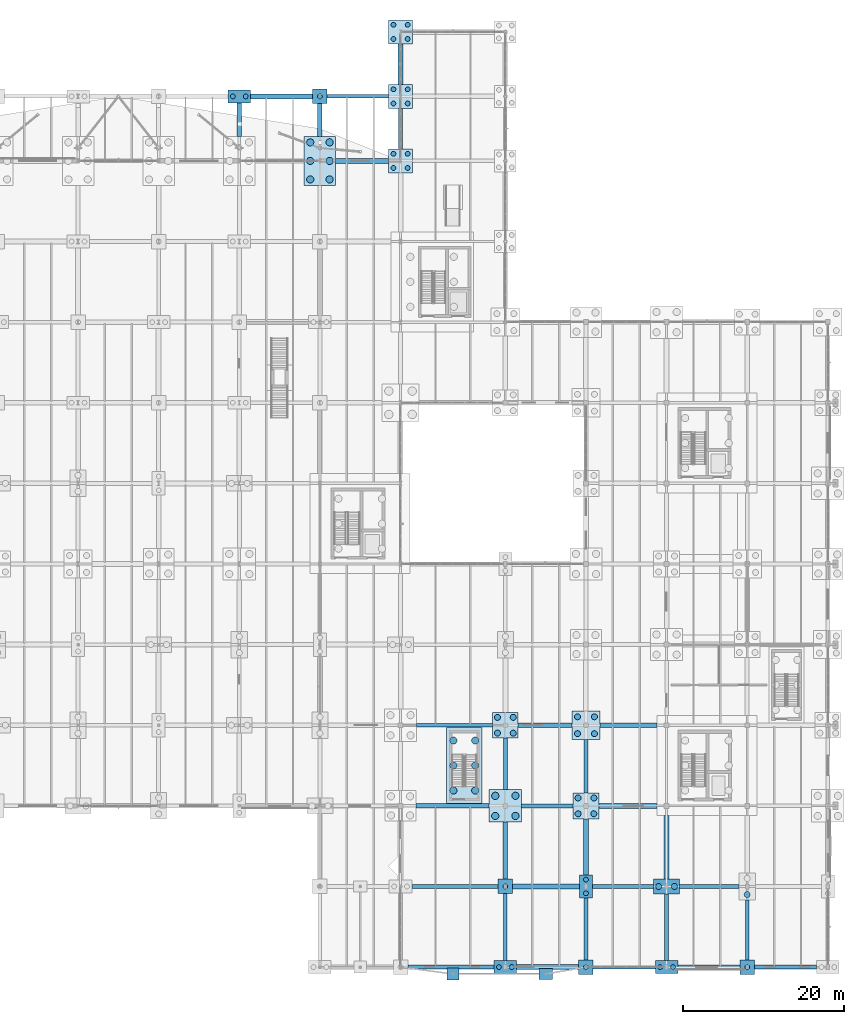
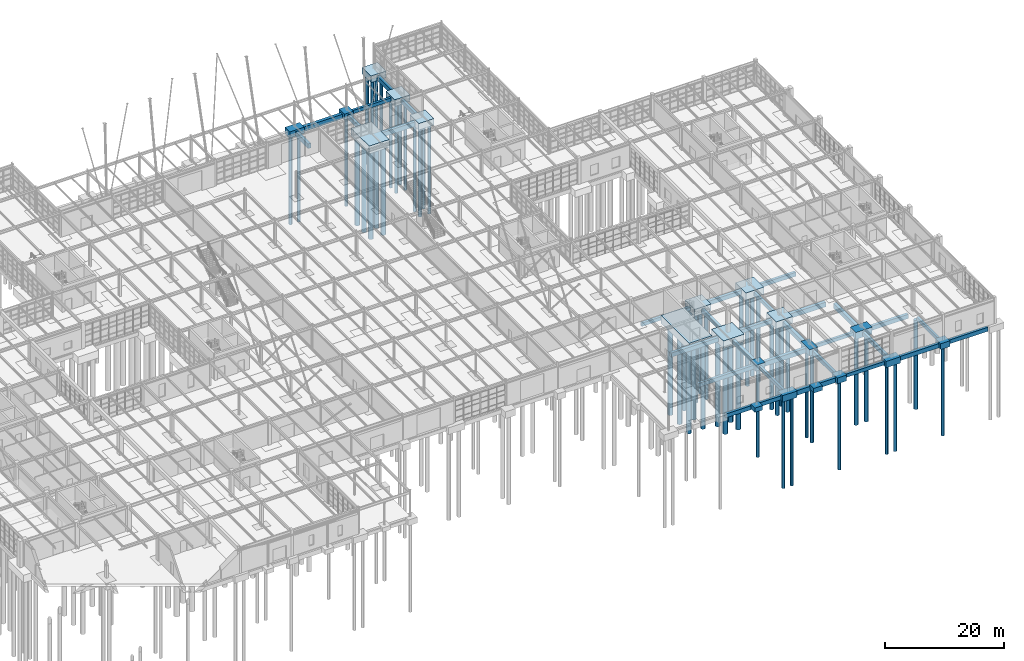
# One storey, part 7 of 145: 55 piles, 51 footings.
"""IFC4 building model written with IfcOpenShell, lengths in metres."""

from ifc_helpers import new_model, si_unit, direction, frame, origin, origin_2d, place, context, subcontext, project, spatial, rectangle, circle, extrude, material, material_profile, profile_set, type_object, element, save


model = new_model("IFC4")

# Units and contexts
model_context = context("Model", 3, precision=1e-05, world=origin(), true_north=direction((0.0, 1.0)))
body_context = subcontext(model_context, "Body", "Model", "MODEL_VIEW")
ifc_project = project(units=[si_unit("LENGTHUNIT", "METRE"), si_unit("AREAUNIT", "SQUARE_METRE"), si_unit("VOLUMEUNIT", "CUBIC_METRE"), si_unit("PLANEANGLEUNIT", "RADIAN"), si_unit("MASSUNIT", "GRAM", prefix="KILO"), si_unit("THERMODYNAMICTEMPERATUREUNIT", "KELVIN"), si_unit("POWERUNIT", "WATT")], contexts=[model_context])

# Site, building, storey
site_placement = place(None, origin())
site = spatial("IfcSite", under=ifc_project, at=site_placement, CompositionType="ELEMENT")
building_placement = place(site_placement, origin())
building = spatial("IfcBuilding", under=site, at=building_placement, Name="Korenveer Ferry Terminal", CompositionType="ELEMENT")
storey_placement = place(building_placement, origin())
storey = spatial("IfcBuildingStorey", under=building, at=storey_placement, Name="L00", CompositionType="ELEMENT", Elevation=0.0)

# Footings
ifc_material_1 = material(Name="Concrete C40/50", Category="concrete")
footing_type_1 = type_object("IfcFootingType", Name="STR-GB-01", PredefinedType="FOOTING_BEAM", material=ifc_material_1)
footing_1_placement = place(storey_placement, frame((129.25, 0.0, -1.14990234375), z_axis=(0.0, 0.0, 1.0), x_axis=(1.0, 0.0, 0.0)))
element("IfcFooting", 1, at=footing_1_placement, inside=storey, type_object=footing_type_1, Name="Ground tie beam 8", PredefinedType="FOOTING_BEAM", context=body_context, shape_type="SweptSolid", body=[
    extrude(rectangle(XDim=10.699951171875, YDim=0.5, at=origin_2d()), origin(), (0.0, 0.0, 1.0), 0.800048828125),
])
footing_2_placement = place(storey_placement, frame((170.75, 0.0, -1.14990234375), z_axis=(0.0, 0.0, 1.0), x_axis=(1.0, 0.0, 0.0)))
element("IfcFooting", 2, at=footing_2_placement, inside=storey, type_object=footing_type_1, Name="Ground tie beam 12", PredefinedType="FOOTING_BEAM", context=body_context, shape_type="SweptSolid", body=[
    extrude(rectangle(XDim=7.699951171875, YDim=0.5, at=origin_2d()), origin(), (0.0, 0.0, 1.0), 0.800048828125),
])
footing_3_placement = place(storey_placement, frame((129.75, 10.0, -1.14990234375), z_axis=(0.0, 0.0, 1.0), x_axis=(1.0, 0.0, 0.0)))
element("IfcFooting", 3, at=footing_3_placement, inside=storey, type_object=footing_type_1, Name="Ground tie beam 20", PredefinedType="FOOTING_BEAM", context=body_context, shape_type="SweptSolid", body=[
    extrude(rectangle(XDim=10.699951171875, YDim=0.5, at=origin_2d()), origin(), (0.0, 0.0, 1.0), 0.800048828125),
])
footing_4_placement = place(storey_placement, frame((141.199951171875, 20.0, -1.14990234375), z_axis=(0.0, 0.0, 1.0), x_axis=(1.0, 0.0, 0.0)))
element("IfcFooting", 4, at=footing_4_placement, inside=storey, type_object=footing_type_1, Name="Ground tie beam 36", PredefinedType="FOOTING_BEAM", context=body_context, shape_type="SweptSolid", body=[
    extrude(rectangle(XDim=6.39990234375, YDim=0.5, at=origin_2d()), origin(), (0.0, 0.0, 1.0), 0.800048828125),
])
footing_5_placement = place(storey_placement, frame((151.27490234375, 30.0, -1.14990234375), z_axis=(0.0, 0.0, 1.0), x_axis=(1.0, 0.0, 0.0)))
element("IfcFooting", 5, at=footing_5_placement, inside=storey, type_object=footing_type_1, Name="Ground tie beam 52", PredefinedType="FOOTING_BEAM", context=body_context, shape_type="SweptSolid", body=[
    extrude(rectangle(XDim=7.050048828125, YDim=0.5, at=origin_2d()), origin(), (0.0, 0.0, 1.0), 0.800048828125),
])
footing_6_placement = place(storey_placement, frame((123.0, 104.0, -1.14990234375), z_axis=(0.0, 0.0, 1.0), x_axis=(1.0, 0.0, 0.0)))
element("IfcFooting", 6, at=footing_6_placement, inside=storey, type_object=footing_type_1, Name="Ground tie beam 260", PredefinedType="FOOTING_BEAM", context=body_context, shape_type="SweptSolid", body=[
    extrude(rectangle(XDim=0.5, YDim=5.050048828125, at=origin_2d()), origin(), (0.0, 0.0, 1.0), 0.800048828125),
])
footing_7_placement = place(storey_placement, frame((136.0, 25.199951171875, -1.14990234375), z_axis=(0.0, 0.0, 1.0), x_axis=(1.0, 0.0, 0.0)))
element("IfcFooting", 7, at=footing_7_placement, inside=storey, type_object=footing_type_1, Name="Ground tie beam 264", PredefinedType="FOOTING_BEAM", context=body_context, shape_type="SweptSolid", body=[
    extrude(rectangle(XDim=0.5, YDim=6.39990234375, at=origin_2d()), origin(), (0.0, 0.0, 1.0), 0.800048828125),
])
footing_8_placement = place(storey_placement, frame((146.0, 4.72509765625, -1.14990234375), z_axis=(0.0, 0.0, 1.0), x_axis=(1.0, 0.0, 0.0)))
element("IfcFooting", 8, at=footing_8_placement, inside=storey, type_object=footing_type_1, Name="Ground tie beam 272", PredefinedType="FOOTING_BEAM", context=body_context, shape_type="SweptSolid", body=[
    extrude(rectangle(XDim=0.5, YDim=7.64990234375, at=origin_2d()), origin(), (0.0, 0.0, 1.0), 0.800048828125),
])
footing_9_placement = place(storey_placement, frame((156.0, 4.925048828125, -1.14990234375), z_axis=(0.0, 0.0, 1.0), x_axis=(1.0, 0.0, 0.0)))
element("IfcFooting", 9, at=footing_9_placement, inside=storey, type_object=footing_type_1, Name="Ground tie beam 280", PredefinedType="FOOTING_BEAM", context=body_context, shape_type="SweptSolid", body=[
    extrude(rectangle(XDim=0.5, YDim=8.25, at=origin_2d()), origin(), (0.0, 0.0, 1.0), 0.800048828125),
])
footing_type_2 = type_object("IfcFootingType", Name="STR-GB-02", PredefinedType="FOOTING_BEAM", material=ifc_material_1)
footing_10_placement = place(storey_placement, frame((141.25, 0.0, -1.2998046875), z_axis=(0.0, 0.0, 1.0), x_axis=(1.0, 0.0, 0.0)))
element("IfcFooting", 10, at=footing_10_placement, inside=storey, type_object=footing_type_2, Name="Ground tie beam 9", PredefinedType="FOOTING_BEAM", context=body_context, shape_type="SweptSolid", body=[
    extrude(rectangle(XDim=7.699951171875, YDim=0.60009765625, at=origin_2d()), origin(), (0.0, 0.0, 1.0), 0.949951171875),
])
footing_11_placement = place(storey_placement, frame((141.050048828125, 10.0, -1.2998046875), z_axis=(0.0, 0.0, 1.0), x_axis=(1.0, 0.0, 0.0)))
element("IfcFooting", 11, at=footing_11_placement, inside=storey, type_object=footing_type_2, Name="Ground tie beam 21", PredefinedType="FOOTING_BEAM", context=body_context, shape_type="SweptSolid", body=[
    extrude(rectangle(XDim=8.300048828125, YDim=0.60009765625, at=origin_2d()), origin(), (0.0, 0.0, 1.0), 0.949951171875),
])
footing_12_placement = place(storey_placement, frame((151.199951171875, 20.0, -1.2998046875), z_axis=(0.0, 0.0, 1.0), x_axis=(1.0, 0.0, 0.0)))
element("IfcFooting", 12, at=footing_12_placement, inside=storey, type_object=footing_type_2, Name="Ground tie beam 37", PredefinedType="FOOTING_BEAM", context=body_context, shape_type="SweptSolid", body=[
    extrude(rectangle(XDim=7.199951171875, YDim=0.60009765625, at=origin_2d()), origin(), (0.0, 0.0, 1.0), 0.949951171875),
])
footing_13_placement = place(storey_placement, frame((118.237548828125, 100.0, -1.2998046875), z_axis=(0.0, 0.0, 1.0), x_axis=(1.0, 0.0, 0.0)))
element("IfcFooting", 13, at=footing_13_placement, inside=storey, type_object=footing_type_2, Name="Ground tie beam 137", PredefinedType="FOOTING_BEAM", context=body_context, shape_type="SweptSolid", body=[
    extrude(rectangle(XDim=6.574951171875, YDim=0.60009765625, at=origin_2d()), origin(), (0.0, 0.0, 1.0), 0.949951171875),
])
footing_14_placement = place(storey_placement, frame((108.25, 108.0, -1.2998046875), z_axis=(0.0, 0.0, 1.0), x_axis=(1.0, 0.0, 0.0)))
element("IfcFooting", 14, at=footing_14_placement, inside=storey, type_object=footing_type_2, Name="Ground tie beam 145", PredefinedType="FOOTING_BEAM", context=body_context, shape_type="SweptSolid", body=[
    extrude(rectangle(XDim=7.699951171875, YDim=0.60009765625, at=origin_2d()), origin(), (0.0, 0.0, 1.0), 0.949951171875),
])
footing_15_placement = place(storey_placement, frame((103.0, 105.125, -1.2998046875), z_axis=(0.0, 0.0, 1.0), x_axis=(1.0, 0.0, 0.0)))
element("IfcFooting", 15, at=footing_15_placement, inside=storey, type_object=footing_type_2, Name="Ground tie beam 241", PredefinedType="FOOTING_BEAM", context=body_context, shape_type="SweptSolid", body=[
    extrude(rectangle(XDim=0.60009765625, YDim=4.14990234375, at=origin_2d()), origin(), (0.0, 0.0, 1.0), 0.949951171875),
])
footing_16_placement = place(storey_placement, frame((123.0, 112.0, -1.2998046875), z_axis=(0.0, 0.0, 1.0), x_axis=(1.0, 0.0, 0.0)))
element("IfcFooting", 16, at=footing_16_placement, inside=storey, type_object=footing_type_2, Name="Ground tie beam 261", PredefinedType="FOOTING_BEAM", context=body_context, shape_type="SweptSolid", body=[
    extrude(rectangle(XDim=0.60009765625, YDim=5.050048828125, at=origin_2d()), origin(), (0.0, 0.0, 1.0), 0.949951171875),
])
footing_17_placement = place(storey_placement, frame((146.0, 14.925048828125, -1.2998046875), z_axis=(0.0, 0.0, 1.0), x_axis=(1.0, 0.0, 0.0)))
element("IfcFooting", 17, at=footing_17_placement, inside=storey, type_object=footing_type_2, Name="Ground tie beam 273", PredefinedType="FOOTING_BEAM", context=body_context, shape_type="SweptSolid", body=[
    extrude(rectangle(XDim=0.60009765625, YDim=6.949951171875, at=origin_2d()), origin(), (0.0, 0.0, 1.0), 0.949951171875),
])
footing_18_placement = place(storey_placement, frame((156.0, 14.875, -1.2998046875), z_axis=(0.0, 0.0, 1.0), x_axis=(1.0, 0.0, 0.0)))
element("IfcFooting", 18, at=footing_18_placement, inside=storey, type_object=footing_type_2, Name="Ground tie beam 281", PredefinedType="FOOTING_BEAM", context=body_context, shape_type="SweptSolid", body=[
    extrude(rectangle(XDim=0.60009765625, YDim=7.85009765625, at=origin_2d()), origin(), (0.0, 0.0, 1.0), 0.949951171875),
])
footing_type_3 = type_object("IfcFootingType", Name="STR-GB-03", PredefinedType="FOOTING_BEAM", material=ifc_material_1)
footing_19_placement = place(storey_placement, frame((150.75, 0.0, -1.0498046875), z_axis=(0.0, 0.0, 1.0), x_axis=(1.0, 0.0, 0.0)))
element("IfcFooting", 19, at=footing_19_placement, inside=storey, type_object=footing_type_3, Name="Ground tie beam 10", PredefinedType="FOOTING_BEAM", context=body_context, shape_type="SweptSolid", body=[
    extrude(rectangle(XDim=7.699951171875, YDim=0.449951171875, at=origin_2d()), origin(), (0.0, 0.0, 1.0), 0.699951171875),
])
footing_20_placement = place(storey_placement, frame((150.60009765625, 10.0, -1.0498046875), z_axis=(0.0, 0.0, 1.0), x_axis=(1.0, 0.0, 0.0)))
element("IfcFooting", 20, at=footing_20_placement, inside=storey, type_object=footing_type_3, Name="Ground tie beam 22", PredefinedType="FOOTING_BEAM", context=body_context, shape_type="SweptSolid", body=[
    extrude(rectangle(XDim=7.60009765625, YDim=0.449951171875, at=origin_2d()), origin(), (0.0, 0.0, 1.0), 0.699951171875),
])
footing_21_placement = place(storey_placement, frame((129.699951171875, 30.0, -1.0498046875), z_axis=(0.0, 0.0, 1.0), x_axis=(1.0, 0.0, 0.0)))
element("IfcFooting", 21, at=footing_21_placement, inside=storey, type_object=footing_type_3, Name="Ground tie beam 50", PredefinedType="FOOTING_BEAM", context=body_context, shape_type="SweptSolid", body=[
    extrude(rectangle(XDim=9.39990234375, YDim=0.449951171875, at=origin_2d()), origin(), (0.0, 0.0, 1.0), 0.699951171875),
])
footing_22_placement = place(storey_placement, frame((117.71240234375, 108.0, -1.0498046875), z_axis=(0.0, 0.0, 1.0), x_axis=(1.0, 0.0, 0.0)))
element("IfcFooting", 22, at=footing_22_placement, inside=storey, type_object=footing_type_3, Name="Ground tie beam 146", PredefinedType="FOOTING_BEAM", context=body_context, shape_type="SweptSolid", body=[
    extrude(rectangle(XDim=7.625, YDim=0.449951171875, at=origin_2d()), origin(), (0.0, 0.0, 1.0), 0.699951171875),
])
footing_23_placement = place(storey_placement, frame((136.0, 4.949951171875, -1.0498046875), z_axis=(0.0, 0.0, 1.0), x_axis=(1.0, 0.0, 0.0)))
element("IfcFooting", 23, at=footing_23_placement, inside=storey, type_object=footing_type_3, Name="Ground tie beam 262", PredefinedType="FOOTING_BEAM", context=body_context, shape_type="SweptSolid", body=[
    extrude(rectangle(XDim=0.449951171875, YDim=8.300048828125, at=origin_2d()), origin(), (0.0, 0.0, 1.0), 0.699951171875),
])
footing_24_placement = place(storey_placement, frame((146.0, 24.925048828125, -1.0498046875), z_axis=(0.0, 0.0, 1.0), x_axis=(1.0, 0.0, 0.0)))
element("IfcFooting", 24, at=footing_24_placement, inside=storey, type_object=footing_type_3, Name="Ground tie beam 274", PredefinedType="FOOTING_BEAM", context=body_context, shape_type="SweptSolid", body=[
    extrude(rectangle(XDim=0.449951171875, YDim=6.64990234375, at=origin_2d()), origin(), (0.0, 0.0, 1.0), 0.699951171875),
])
footing_25_placement = place(storey_placement, frame((166.0, 4.625, -1.0498046875), z_axis=(0.0, 0.0, 1.0), x_axis=(1.0, 0.0, 0.0)))
element("IfcFooting", 25, at=footing_25_placement, inside=storey, type_object=footing_type_3, Name="Ground tie beam 286", PredefinedType="FOOTING_BEAM", context=body_context, shape_type="SweptSolid", body=[
    extrude(rectangle(XDim=0.449951171875, YDim=7.449951171875, at=origin_2d()), origin(), (0.0, 0.0, 1.0), 0.699951171875),
])
footing_type_4 = type_object("IfcFootingType", Name="STR-GB-04", PredefinedType="FOOTING_BEAM", material=ifc_material_1)
footing_26_placement = place(storey_placement, frame((161.25, 0.0, -1.199951171875), z_axis=(0.0, 0.0, 1.0), x_axis=(1.0, 0.0, 0.0)))
element("IfcFooting", 26, at=footing_26_placement, inside=storey, type_object=footing_type_4, Name="Ground tie beam 11", PredefinedType="FOOTING_BEAM", context=body_context, shape_type="SweptSolid", body=[
    extrude(rectangle(XDim=7.699951171875, YDim=0.550048828125, at=origin_2d()), origin(), (0.0, 0.0, 1.0), 0.85009765625),
])
footing_27_placement = place(storey_placement, frame((161.300048828125, 10.0, -1.199951171875), z_axis=(0.0, 0.0, 1.0), x_axis=(1.0, 0.0, 0.0)))
element("IfcFooting", 27, at=footing_27_placement, inside=storey, type_object=footing_type_4, Name="Ground tie beam 23", PredefinedType="FOOTING_BEAM", context=body_context, shape_type="SweptSolid", body=[
    extrude(rectangle(XDim=7.39990234375, YDim=0.550048828125, at=origin_2d()), origin(), (0.0, 0.0, 1.0), 0.85009765625),
])
footing_28_placement = place(storey_placement, frame((129.449951171875, 20.0, -1.199951171875), z_axis=(0.0, 0.0, 1.0), x_axis=(1.0, 0.0, 0.0)))
element("IfcFooting", 28, at=footing_28_placement, inside=storey, type_object=footing_type_4, Name="Ground tie beam 35", PredefinedType="FOOTING_BEAM", context=body_context, shape_type="SweptSolid", body=[
    extrude(rectangle(XDim=9.10009765625, YDim=0.550048828125, at=origin_2d()), origin(), (0.0, 0.0, 1.0), 0.85009765625),
])
footing_29_placement = place(storey_placement, frame((140.925048828125, 30.0, -1.199951171875), z_axis=(0.0, 0.0, 1.0), x_axis=(1.0, 0.0, 0.0)))
element("IfcFooting", 29, at=footing_29_placement, inside=storey, type_object=footing_type_4, Name="Ground tie beam 51", PredefinedType="FOOTING_BEAM", context=body_context, shape_type="SweptSolid", body=[
    extrude(rectangle(XDim=6.64990234375, YDim=0.550048828125, at=origin_2d()), origin(), (0.0, 0.0, 1.0), 0.85009765625),
])
footing_30_placement = place(storey_placement, frame((113.0, 105.074951171875, -1.199951171875), z_axis=(0.0, 0.0, 1.0), x_axis=(1.0, 0.0, 0.0)))
element("IfcFooting", 30, at=footing_30_placement, inside=storey, type_object=footing_type_4, Name="Ground tie beam 251", PredefinedType="FOOTING_BEAM", context=body_context, shape_type="SweptSolid", body=[
    extrude(rectangle(XDim=0.550048828125, YDim=4.050048828125, at=origin_2d()), origin(), (0.0, 0.0, 1.0), 0.85009765625),
])
footing_31_placement = place(storey_placement, frame((136.0, 14.449951171875, -1.199951171875), z_axis=(0.0, 0.0, 1.0), x_axis=(1.0, 0.0, 0.0)))
element("IfcFooting", 31, at=footing_31_placement, inside=storey, type_object=footing_type_4, Name="Ground tie beam 263", PredefinedType="FOOTING_BEAM", context=body_context, shape_type="SweptSolid", body=[
    extrude(rectangle(XDim=0.550048828125, YDim=7.10009765625, at=origin_2d()), origin(), (0.0, 0.0, 1.0), 0.85009765625),
])
ifc_material_2 = material(Name="Concrete C45/55", Category="concrete")
footing_type_5 = type_object("IfcFootingType", Name="STR-PC-01", PredefinedType="PILE_CAP", material=ifc_material_2)
for number, where, z_axis, x_axis, name in (
    (32, (113.0, 108.0, -1.2001953125), (0.0, 0.0, 1.0), (1.0, 0.0, 0.0), "Pile cap PC-01 at (113,108)"),
    (33, (136.0, 10.0, -1.2001953125), (0.0, 0.0, 1.0), (1.0, 0.0, 0.0), "Pile cap PC-01 at (136,10)"),
    (34, (146.0, 0.0, -1.2001953125), (0.0, 0.0, 1.0), (1.0, 0.0, 0.0), "Pile cap PC-01 at (146,0)"),
    (35, (166.0, 0.0, -1.2001953125), (0.0, 0.0, 1.0), (1.0, 0.0, 0.0), "Pile cap PC-01 at (166,0)"),
):
    element("IfcFooting", number, at=place(storey_placement, frame(where, z_axis=z_axis, x_axis=x_axis)), inside=storey, type_object=footing_type_5, Name=name, PredefinedType="PILE_CAP", context=body_context, shape_type="SweptSolid", body=[
        extrude(rectangle(XDim=1.800048828125, YDim=1.800048828125, at=origin_2d()), origin(), (0.0, 0.0, 1.0), 1.199951171875),
    ])
footing_type_6 = type_object("IfcFootingType", Name="STR-PC-02", PredefinedType="PILE_CAP", material=ifc_material_2)
for number, where, z_axis, x_axis, name in (
    (36, (103.0, 108.0, -1.2998046875), (0.0, 0.0, 1.0), (1.0, 0.0, 0.0), "Pile cap PC-02 at (103,108)"),
    (37, (136.0, 0.0, -1.2998046875), (0.0, 0.0, 1.0), (1.0, 0.0, 0.0), "Pile cap PC-02 at (136,0)"),
    (38, (156.0, 0.0, -1.2998046875), (0.0, 0.0, 1.0), (1.0, 0.0, 0.0), "Pile cap PC-02 at (156,0)"),
):
    element("IfcFooting", number, at=place(storey_placement, frame(where, z_axis=z_axis, x_axis=x_axis)), inside=storey, type_object=footing_type_6, Name=name, PredefinedType="PILE_CAP", context=body_context, shape_type="SweptSolid", body=[
        extrude(rectangle(XDim=2.800048828125, YDim=1.60009765625, at=origin_2d()), origin(), (0.0, 0.0, 1.0), 1.300048828125),
    ])
footing_type_7 = type_object("IfcFootingType", Name="STR-PC-03", PredefinedType="PILE_CAP", material=ifc_material_2)
footing_32_placement = place(storey_placement, frame((146.0, 10.0, -1.2998046875), z_axis=(0.0, 0.0, 1.0), x_axis=(1.0, 0.0, 0.0)))
element("IfcFooting", 39, at=footing_32_placement, inside=storey, type_object=footing_type_7, Name="Pile cap PC-03 at (146,10)", PredefinedType="PILE_CAP", context=body_context, shape_type="SweptSolid", body=[
    extrude(rectangle(XDim=1.60009765625, YDim=2.89990234375, at=origin_2d()), origin(), (0.0, 0.0, 1.0), 1.300048828125),
])
footing_type_8 = type_object("IfcFootingType", Name="STR-PC-04", PredefinedType="PILE_CAP", material=ifc_material_2)
footing_33_placement = place(storey_placement, frame((156.0, 10.0, -1.39990234375), z_axis=(0.0, 0.0, 1.0), x_axis=(1.0, 0.0, 0.0)))
element("IfcFooting", 40, at=footing_33_placement, inside=storey, type_object=footing_type_8, Name="Pile cap PC-04 at (156,10)", PredefinedType="PILE_CAP", context=body_context, shape_type="SweptSolid", body=[
    extrude(rectangle(XDim=3.199951171875, YDim=1.89990234375, at=origin_2d()), origin(), (0.0, 0.0, 1.0), 1.39990234375),
])
footing_type_9 = type_object("IfcFootingType", Name="STR-PC-06", PredefinedType="PILE_CAP", material=ifc_material_2)
for number, where, z_axis, x_axis, name in (
    (41, (136.0, 30.0, -1.39990234375), (0.0, 0.0, 1.0), (1.0, 0.0, 0.0), "Pile cap PC-06 at (136,30)"),
    (42, (146.0, 20.0, -1.39990234375), (0.0, 0.0, 1.0), (1.0, 0.0, 0.0), "Pile cap PC-06 at (146,20)"),
):
    element("IfcFooting", number, at=place(storey_placement, frame(where, z_axis=z_axis, x_axis=x_axis)), inside=storey, type_object=footing_type_9, Name=name, PredefinedType="PILE_CAP", context=body_context, shape_type="SweptSolid", body=[
        extrude(rectangle(XDim=3.199951171875, YDim=3.199951171875, at=origin_2d()), origin(), (0.0, 0.0, 1.0), 1.39990234375),
    ])
footing_type_10 = type_object("IfcFootingType", Name="STR-PC-07", PredefinedType="PILE_CAP", material=ifc_material_2)
footing_34_placement = place(storey_placement, frame((146.0, 30.0, -1.4501953125), z_axis=(0.0, 0.0, 1.0), x_axis=(1.0, 0.0, 0.0)))
element("IfcFooting", 43, at=footing_34_placement, inside=storey, type_object=footing_type_10, Name="Pile cap PC-07 at (146,30)", PredefinedType="PILE_CAP", context=body_context, shape_type="SweptSolid", body=[
    extrude(rectangle(XDim=3.5, YDim=3.5, at=origin_2d()), origin(), (0.0, 0.0, 1.0), 1.449951171875),
])
footing_type_11 = type_object("IfcFootingType", Name="STR-PC-09", PredefinedType="PILE_CAP", material=ifc_material_2)
footing_35_placement = place(storey_placement, frame((136.0, 20.0, -1.5498046875), z_axis=(0.0, 0.0, 1.0), x_axis=(1.0, 0.0, 0.0)))
element("IfcFooting", 44, at=footing_35_placement, inside=storey, type_object=footing_type_11, Name="Pile cap PC-09 at (136,20)", PredefinedType="PILE_CAP", context=body_context, shape_type="SweptSolid", body=[
    extrude(rectangle(XDim=4.0, YDim=4.0, at=origin_2d()), origin(), (0.0, 0.0, 1.0), 1.550048828125),
])
footing_type_12 = type_object("IfcFootingType", Name="STR-PC-14", PredefinedType="PILE_CAP", material=ifc_material_2)
footing_36_placement = place(storey_placement, frame((113.0, 100.0, -1.60009765625), z_axis=(0.0, 0.0, 1.0), x_axis=(1.0, 0.0, 0.0)))
element("IfcFooting", 45, at=footing_36_placement, inside=storey, type_object=footing_type_12, Name="Pile cap PC-14 at (113,100)", PredefinedType="PILE_CAP", context=body_context, shape_type="SweptSolid", body=[
    extrude(rectangle(XDim=3.89990234375, YDim=6.10009765625, at=origin_2d()), origin(), (0.0, 0.0, 1.0), 1.60009765625),
])
footing_type_13 = type_object("IfcFootingType", Name="STR-PC-18", PredefinedType="PILE_CAP", material=ifc_material_2)
for number, where, z_axis, x_axis, name in (
    (46, (123.0, 100.0, -1.35009765625), (0.0, 0.0, 1.0), (1.0, 0.0, 0.0), "Pile cap PC-18 at (123,100)"),
    (47, (123.0, 108.0, -1.35009765625), (0.0, 0.0, 1.0), (1.0, 0.0, 0.0), "Pile cap PC-18 at (123,108)"),
    (48, (123.0, 116.0, -1.35009765625), (0.0, 0.0, 1.0), (1.0, 0.0, 0.0), "Pile cap PC-18 at (123,116)"),
):
    element("IfcFooting", number, at=place(storey_placement, frame(where, z_axis=z_axis, x_axis=x_axis)), inside=storey, type_object=footing_type_13, Name=name, PredefinedType="PILE_CAP", context=body_context, shape_type="SweptSolid", body=[
        extrude(rectangle(XDim=2.949951171875, YDim=2.949951171875, at=origin_2d()), origin(), (0.0, 0.0, 1.0), 1.35009765625),
    ])
footing_type_14 = type_object("IfcFootingType", Name="STR-PC-MAT-K10", PredefinedType="PILE_CAP", material=ifc_material_2)
footing_37_placement = place(storey_placement, frame((130.909912109375, 25.0, -1.60009765625), z_axis=(0.0, 0.0, 1.0), x_axis=(1.0, 0.0, 0.0)))
element("IfcFooting", 49, at=footing_37_placement, inside=storey, type_object=footing_type_14, Name="Core pile cap mat K10", PredefinedType="PILE_CAP", context=body_context, shape_type="SweptSolid", body=[
    extrude(rectangle(XDim=4.419921875, YDim=9.39990234375, at=origin_2d()), origin(), (0.0, 0.0, 1.0), 1.60009765625),
])
footing_type_15 = type_object("IfcFootingType", Name="STR-PF-01", PredefinedType="PAD_FOOTING", material=ifc_material_2)
footing_38_placement = place(storey_placement, frame((129.5, -0.85009765625, -0.89990234375), z_axis=(0.0, 0.0, 1.0), x_axis=(1.0, 0.0, 0.0)))
element("IfcFooting", 50, at=footing_38_placement, inside=storey, type_object=footing_type_15, Name="Colonnade pad footing 7", PredefinedType="PAD_FOOTING", context=body_context, shape_type="SweptSolid", body=[
    extrude(rectangle(XDim=1.5, YDim=1.5, at=origin_2d()), origin(), (0.0, 0.0, 1.0), 0.89990234375),
])
footing_type_16 = type_object("IfcFootingType", Name="STR-PF-02", PredefinedType="PAD_FOOTING", material=ifc_material_2)
footing_39_placement = place(storey_placement, frame((141.0, -0.85009765625, -0.9501953125), z_axis=(0.0, 0.0, 1.0), x_axis=(1.0, 0.0, 0.0)))
element("IfcFooting", 51, at=footing_39_placement, inside=storey, type_object=footing_type_16, Name="Colonnade pad footing 8", PredefinedType="PAD_FOOTING", context=body_context, shape_type="SweptSolid", body=[
    extrude(rectangle(XDim=1.699951171875, YDim=1.39990234375, at=origin_2d()), origin(), (0.0, 0.0, 1.0), 0.949951171875),
])

# Piles
ifc_material_profile_1 = material_profile(ifc_material_1, circle(Radius=0.300048828125, at=origin_2d()), Name="PILE D600")
ifc_profile_set_1 = profile_set([ifc_material_profile_1], Name="Concrete C40/50")
pile_type_1 = type_object("IfcPileType", Name="STR-PL-D600", PredefinedType="DRIVEN", material=ifc_profile_set_1)
for number, where, z_axis, x_axis, name in (
    (52, (102.199951171875, 108.0, -1.199951171875), (0.0, 0.0, -1.0), (1.0, 0.0, 0.0), "Foundation pile 349"),
    (53, (103.800048828125, 108.0, -1.199951171875), (0.0, 0.0, -1.0), (1.0, 0.0, 0.0), "Foundation pile 350"),
):
    element("IfcPile", number, at=place(storey_placement, frame(where, z_axis=z_axis, x_axis=x_axis)), inside=storey, type_object=pile_type_1, Name=name, PredefinedType="DRIVEN", context=body_context, shape_type="SweptSolid", body=[
        extrude(circle(Radius=0.300048828125, at=origin_2d()), origin(), (0.0, 0.0, 1.0), 18.300048828125),
    ])
pile_1_placement = place(storey_placement, frame((113.0, 108.0, -1.10009765625), z_axis=(0.0, 0.0, -1.0), x_axis=(1.0, 0.0, 0.0)))
element("IfcPile", 54, at=pile_1_placement, inside=storey, type_object=pile_type_1, Name="Foundation pile 370", PredefinedType="DRIVEN", context=body_context, shape_type="SweptSolid", body=[
    extrude(circle(Radius=0.300048828125, at=origin_2d()), origin(), (0.0, 0.0, 1.0), 18.39990234375),
])
for number, where, z_axis, x_axis, name in (
    (55, (122.1201171875, 99.1201171875, -1.25), (0.0, 0.0, -1.0), (1.0, 0.0, 0.0), "Foundation pile 388"),
    (56, (123.8798828125, 99.1201171875, -1.25), (0.0, 0.0, -1.0), (1.0, 0.0, 0.0), "Foundation pile 389"),
    (57, (122.1201171875, 100.8798828125, -1.25), (0.0, 0.0, -1.0), (1.0, 0.0, 0.0), "Foundation pile 390"),
    (58, (123.8798828125, 100.8798828125, -1.25), (0.0, 0.0, -1.0), (1.0, 0.0, 0.0), "Foundation pile 391"),
    (59, (122.1201171875, 107.1201171875, -1.25), (0.0, 0.0, -1.0), (1.0, 0.0, 0.0), "Foundation pile 392"),
    (60, (123.8798828125, 107.1201171875, -1.25), (0.0, 0.0, -1.0), (1.0, 0.0, 0.0), "Foundation pile 393"),
    (61, (122.1201171875, 108.8798828125, -1.25), (0.0, 0.0, -1.0), (1.0, 0.0, 0.0), "Foundation pile 394"),
    (62, (123.8798828125, 108.8798828125, -1.25), (0.0, 0.0, -1.0), (1.0, 0.0, 0.0), "Foundation pile 395"),
    (63, (122.1201171875, 115.1201171875, -1.25), (0.0, 0.0, -1.0), (1.0, 0.0, 0.0), "Foundation pile 396"),
    (64, (123.8798828125, 115.1201171875, -1.25), (0.0, 0.0, -1.0), (1.0, 0.0, 0.0), "Foundation pile 397"),
    (65, (122.1201171875, 116.8798828125, -1.25), (0.0, 0.0, -1.0), (1.0, 0.0, 0.0), "Foundation pile 398"),
    (66, (123.8798828125, 116.8798828125, -1.25), (0.0, 0.0, -1.0), (1.0, 0.0, 0.0), "Foundation pile 399"),
):
    element("IfcPile", number, at=place(storey_placement, frame(where, z_axis=z_axis, x_axis=x_axis)), inside=storey, type_object=pile_type_1, Name=name, PredefinedType="DRIVEN", context=body_context, shape_type="SweptSolid", body=[
        extrude(circle(Radius=0.300048828125, at=origin_2d()), origin(), (0.0, 0.0, 1.0), 18.25),
    ])
for number, where, z_axis, x_axis, name in (
    (67, (135.199951171875, 0.0, -1.199951171875), (0.0, 0.0, -1.0), (1.0, 0.0, 0.0), "Foundation pile 400"),
    (68, (136.800048828125, 0.0, -1.199951171875), (0.0, 0.0, -1.0), (1.0, 0.0, 0.0), "Foundation pile 401"),
):
    element("IfcPile", number, at=place(storey_placement, frame(where, z_axis=z_axis, x_axis=x_axis)), inside=storey, type_object=pile_type_1, Name=name, PredefinedType="DRIVEN", context=body_context, shape_type="SweptSolid", body=[
        extrude(circle(Radius=0.300048828125, at=origin_2d()), origin(), (0.0, 0.0, 1.0), 18.300048828125),
    ])
for number, where, z_axis, x_axis, name in (
    (69, (136.0, 10.0, -1.10009765625), (0.0, 0.0, -1.0), (1.0, 0.0, 0.0), "Foundation pile 402"),
    (70, (146.0, 0.0, -1.10009765625), (0.0, 0.0, -1.0), (1.0, 0.0, 0.0), "Foundation pile 439"),
):
    element("IfcPile", number, at=place(storey_placement, frame(where, z_axis=z_axis, x_axis=x_axis)), inside=storey, type_object=pile_type_1, Name=name, PredefinedType="DRIVEN", context=body_context, shape_type="SweptSolid", body=[
        extrude(circle(Radius=0.300048828125, at=origin_2d()), origin(), (0.0, 0.0, 1.0), 18.39990234375),
    ])
for number, where, z_axis, x_axis, name in (
    (71, (146.0, 9.14990234375, -1.199951171875), (0.0, 0.0, -1.0), (1.0, 0.0, 0.0), "Foundation pile 440"),
    (72, (146.0, 10.85009765625, -1.199951171875), (0.0, 0.0, -1.0), (1.0, 0.0, 0.0), "Foundation pile 441"),
    (73, (155.199951171875, 0.0, -1.199951171875), (0.0, 0.0, -1.0), (1.0, 0.0, 0.0), "Foundation pile 470"),
    (74, (156.800048828125, 0.0, -1.199951171875), (0.0, 0.0, -1.0), (1.0, 0.0, 0.0), "Foundation pile 471"),
):
    element("IfcPile", number, at=place(storey_placement, frame(where, z_axis=z_axis, x_axis=x_axis)), inside=storey, type_object=pile_type_1, Name=name, PredefinedType="DRIVEN", context=body_context, shape_type="SweptSolid", body=[
        extrude(circle(Radius=0.300048828125, at=origin_2d()), origin(), (0.0, 0.0, 1.0), 18.300048828125),
    ])
pile_2_placement = place(storey_placement, frame((166.0, 0.0, -1.10009765625), z_axis=(0.0, 0.0, -1.0), x_axis=(1.0, 0.0, 0.0)))
element("IfcPile", 75, at=pile_2_placement, inside=storey, type_object=pile_type_1, Name="Foundation pile 486", PredefinedType="DRIVEN", context=body_context, shape_type="SweptSolid", body=[
    extrude(circle(Radius=0.300048828125, at=origin_2d()), origin(), (0.0, 0.0, 1.0), 18.39990234375),
])
ifc_material_profile_2 = material_profile(ifc_material_1, circle(Radius=0.375, at=origin_2d()), Name="PILE D750")
ifc_profile_set_2 = profile_set([ifc_material_profile_2], Name="Concrete C40/50")
pile_type_2 = type_object("IfcPileType", Name="STR-PL-D750", PredefinedType="BORED", material=ifc_profile_set_2)
for number, where, z_axis, x_axis, name in (
    (76, (135.02001953125, 29.02001953125, -1.300048828125), (0.0, 0.0, -1.0), (1.0, 0.0, 0.0), "Foundation pile 407"),
    (77, (136.97998046875, 29.02001953125, -1.300048828125), (0.0, 0.0, -1.0), (1.0, 0.0, 0.0), "Foundation pile 408"),
    (78, (135.02001953125, 30.97998046875, -1.300048828125), (0.0, 0.0, -1.0), (1.0, 0.0, 0.0), "Foundation pile 409"),
    (79, (136.97998046875, 30.97998046875, -1.300048828125), (0.0, 0.0, -1.0), (1.0, 0.0, 0.0), "Foundation pile 410"),
    (80, (145.02001953125, 19.02001953125, -1.300048828125), (0.0, 0.0, -1.0), (1.0, 0.0, 0.0), "Foundation pile 442"),
    (81, (146.97998046875, 19.02001953125, -1.300048828125), (0.0, 0.0, -1.0), (1.0, 0.0, 0.0), "Foundation pile 443"),
    (82, (145.02001953125, 20.97998046875, -1.300048828125), (0.0, 0.0, -1.0), (1.0, 0.0, 0.0), "Foundation pile 444"),
    (83, (146.97998046875, 20.97998046875, -1.300048828125), (0.0, 0.0, -1.0), (1.0, 0.0, 0.0), "Foundation pile 445"),
):
    element("IfcPile", number, at=place(storey_placement, frame(where, z_axis=z_axis, x_axis=x_axis)), inside=storey, type_object=pile_type_2, Name=name, PredefinedType="BORED", context=body_context, shape_type="SweptSolid", body=[
        extrude(circle(Radius=0.375, at=origin_2d()), origin(), (0.0, 0.0, 1.0), 18.199951171875),
    ])
for number, where, z_axis, x_axis, name in (
    (84, (144.949951171875, 28.949951171875, -1.35009765625), (0.0, 0.0, -1.0), (1.0, 0.0, 0.0), "Foundation pile 446"),
    (85, (147.050048828125, 28.949951171875, -1.35009765625), (0.0, 0.0, -1.0), (1.0, 0.0, 0.0), "Foundation pile 447"),
    (86, (144.949951171875, 31.050048828125, -1.35009765625), (0.0, 0.0, -1.0), (1.0, 0.0, 0.0), "Foundation pile 448"),
    (87, (147.050048828125, 31.050048828125, -1.35009765625), (0.0, 0.0, -1.0), (1.0, 0.0, 0.0), "Foundation pile 449"),
):
    element("IfcPile", number, at=place(storey_placement, frame(where, z_axis=z_axis, x_axis=x_axis)), inside=storey, type_object=pile_type_2, Name=name, PredefinedType="BORED", context=body_context, shape_type="SweptSolid", body=[
        extrude(circle(Radius=0.375, at=origin_2d()), origin(), (0.0, 0.0, 1.0), 18.14990234375),
    ])
for number, where, z_axis, x_axis, name in (
    (88, (155.02001953125, 10.0, -1.300048828125), (0.0, 0.0, -1.0), (1.0, 0.0, 0.0), "Foundation pile 472"),
    (89, (156.97998046875, 10.0, -1.300048828125), (0.0, 0.0, -1.0), (1.0, 0.0, 0.0), "Foundation pile 473"),
    (90, (166.0, 9.0, -1.300048828125), (0.0, 0.0, -1.0), (1.0, 0.0, 0.0), "Foundation pile 487"),
):
    element("IfcPile", number, at=place(storey_placement, frame(where, z_axis=z_axis, x_axis=x_axis)), inside=storey, type_object=pile_type_2, Name=name, PredefinedType="BORED", context=body_context, shape_type="SweptSolid", body=[
        extrude(circle(Radius=0.375, at=origin_2d()), origin(), (0.0, 0.0, 1.0), 18.199951171875),
    ])
ifc_material_profile_3 = material_profile(ifc_material_1, circle(Radius=0.449951171875, at=origin_2d()), Name="PILE D900")
ifc_profile_set_3 = profile_set([ifc_material_profile_3], Name="Concrete C40/50")
pile_type_3 = type_object("IfcPileType", Name="STR-PL-D900", PredefinedType="BORED", material=ifc_profile_set_3)
for number, where, z_axis, x_axis, name in (
    (91, (129.550048828125, 21.89990234375, -1.5), (0.0, 0.0, -1.0), (1.0, 0.0, 0.0), "Core foundation pile 55"),
    (92, (132.27001953125, 21.89990234375, -1.5), (0.0, 0.0, -1.0), (1.0, 0.0, 0.0), "Core foundation pile 56"),
    (93, (129.550048828125, 25.0, -1.5), (0.0, 0.0, -1.0), (1.0, 0.0, 0.0), "Core foundation pile 57"),
    (94, (132.27001953125, 25.0, -1.5), (0.0, 0.0, -1.0), (1.0, 0.0, 0.0), "Core foundation pile 58"),
    (95, (129.550048828125, 28.10009765625, -1.5), (0.0, 0.0, -1.0), (1.0, 0.0, 0.0), "Core foundation pile 59"),
    (96, (132.27001953125, 28.10009765625, -1.5), (0.0, 0.0, -1.0), (1.0, 0.0, 0.0), "Core foundation pile 60"),
    (97, (111.800048828125, 97.699951171875, -1.5), (0.0, 0.0, -1.0), (1.0, 0.0, 0.0), "Foundation pile 364"),
    (98, (114.199951171875, 97.699951171875, -1.5), (0.0, 0.0, -1.0), (1.0, 0.0, 0.0), "Foundation pile 365"),
    (99, (111.800048828125, 100.0, -1.5), (0.0, 0.0, -1.0), (1.0, 0.0, 0.0), "Foundation pile 366"),
    (100, (114.199951171875, 100.0, -1.5), (0.0, 0.0, -1.0), (1.0, 0.0, 0.0), "Foundation pile 367"),
    (101, (111.800048828125, 102.300048828125, -1.5), (0.0, 0.0, -1.0), (1.0, 0.0, 0.0), "Foundation pile 368"),
    (102, (114.199951171875, 102.300048828125, -1.5), (0.0, 0.0, -1.0), (1.0, 0.0, 0.0), "Foundation pile 369"),
):
    element("IfcPile", number, at=place(storey_placement, frame(where, z_axis=z_axis, x_axis=x_axis)), inside=storey, type_object=pile_type_3, Name=name, PredefinedType="BORED", context=body_context, shape_type="SweptSolid", body=[
        extrude(circle(Radius=0.449951171875, at=origin_2d()), origin(), (0.0, 0.0, 1.0), 18.0),
    ])
for number, where, z_axis, x_axis, name in (
    (103, (134.75, 18.75, -1.449951171875), (0.0, 0.0, -1.0), (1.0, 0.0, 0.0), "Foundation pile 403"),
    (104, (137.25, 18.75, -1.449951171875), (0.0, 0.0, -1.0), (1.0, 0.0, 0.0), "Foundation pile 404"),
    (105, (134.75, 21.25, -1.449951171875), (0.0, 0.0, -1.0), (1.0, 0.0, 0.0), "Foundation pile 405"),
    (106, (137.25, 21.25, -1.449951171875), (0.0, 0.0, -1.0), (1.0, 0.0, 0.0), "Foundation pile 406"),
):
    element("IfcPile", number, at=place(storey_placement, frame(where, z_axis=z_axis, x_axis=x_axis)), inside=storey, type_object=pile_type_3, Name=name, PredefinedType="BORED", context=body_context, shape_type="SweptSolid", body=[
        extrude(circle(Radius=0.449951171875, at=origin_2d()), origin(), (0.0, 0.0, 1.0), 18.050048828125),
    ])

save(model, "model.ifc")
